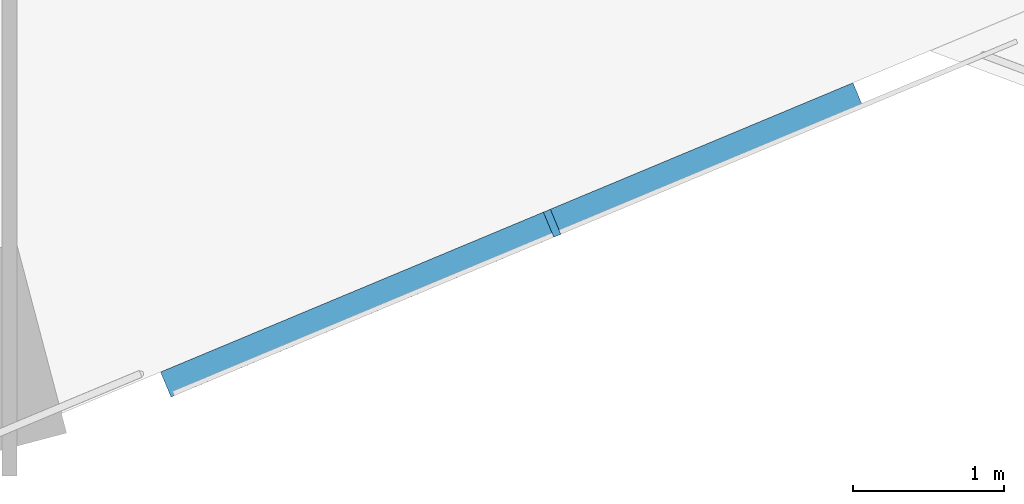
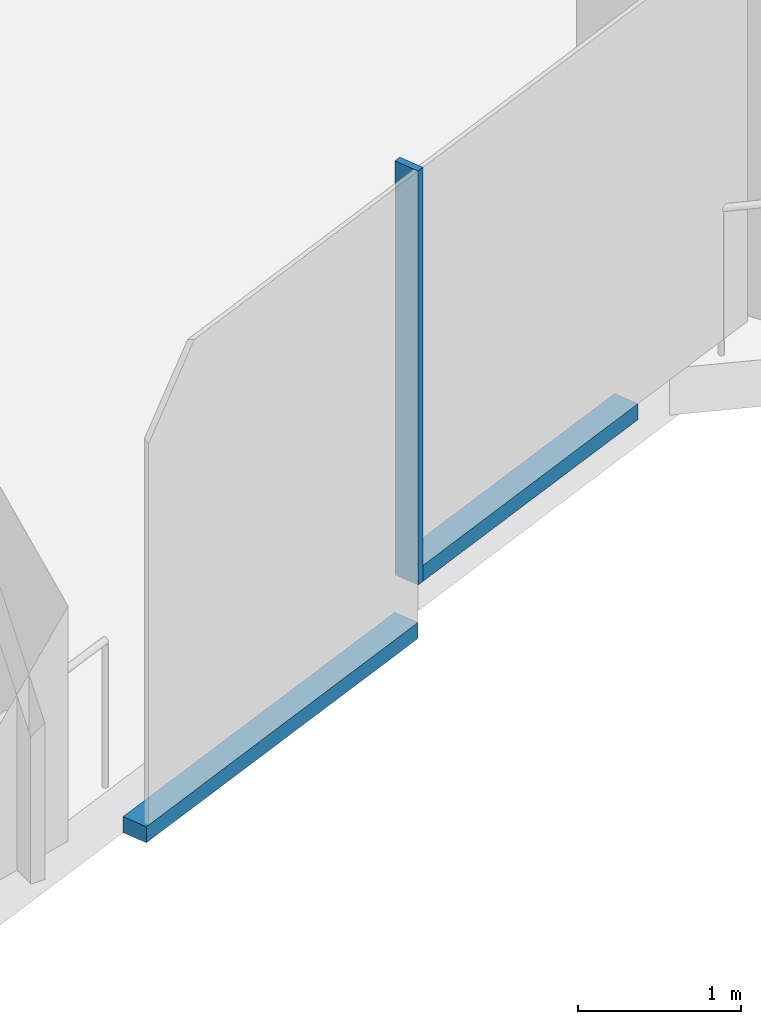
# One storey, part 5 of 34: 3 members, 1 element without a shape of its own.
"""IFC4 building model written with IfcOpenShell, lengths in metres."""

from ifc_helpers import new_model, si_unit, direction, frame, origin, origin_2d, place, context, subcontext, project, spatial, rectangle, extrude, material, material_profile, profile_set, type_object, element, aggregate, save


model = new_model("IFC4")

# Units and contexts
model_context = context("Model", 3, precision=1e-05, world=origin(), true_north=direction((0.0, 1.0)))
body_context = subcontext(model_context, "Body", "Model", "MODEL_VIEW")
ifc_project = project(units=[si_unit("LENGTHUNIT", "METRE"), si_unit("AREAUNIT", "SQUARE_METRE"), si_unit("VOLUMEUNIT", "CUBIC_METRE"), si_unit("PLANEANGLEUNIT", "RADIAN"), si_unit("MASSUNIT", "GRAM", prefix="KILO")], contexts=[model_context])

# Site, building, storey
site_placement = place(None, origin())
site = spatial("IfcSite", under=ifc_project, at=site_placement, CompositionType="ELEMENT")
building_placement = place(site_placement, origin())
building = spatial("IfcBuilding", under=site, at=building_placement, Name="Orlundy Tower", CompositionType="ELEMENT")
storey_placement = place(building_placement, frame((0.0, 0.0, 102.199951171875)))
storey = spatial("IfcBuildingStorey", under=building, at=storey_placement, Name="L25", CompositionType="ELEMENT", Elevation=102.199951171875)

# Curtain wall, members
ifc_material_1 = material(Name="Aluminium bronze anodised", Category="aluminium")
curtain_wall_type = type_object("IfcCurtainWallType", Name="CW1 wall", PredefinedType="NOTDEFINED", material=ifc_material_1)
curtain_wall_placement = place(storey_placement, origin())
curtain_wall = element("IfcCurtainWall", 1, at=curtain_wall_placement, inside=storey, type_object=curtain_wall_type, Name="CW1 run 01", PredefinedType="NOTDEFINED")
ifc_material_2 = material(Name="Aluminium bronze anodised", Category="aluminium")
ifc_material_profile_1 = material_profile(ifc_material_2, rectangle(XDim=0.179931640625, YDim=0.050048828125, at=origin_2d()), Name="CW1 mullion 50x180")
ifc_profile_set_1 = profile_set([ifc_material_profile_1], Name="Aluminium bronze anodised")
member_type_1 = type_object("IfcMemberType", Name="CW1 mullion 50x180", PredefinedType="MULLION", material=ifc_profile_set_1)
member_1_placement = place(storey_placement, frame((11.595703125, -27.76611328125, 0.0), z_axis=(0.0, 0.0, 1.0), x_axis=(0.385377262048, -0.922759105019, 0.0)))
member_1 = element("IfcMember", 2, at=member_1_placement, type_object=member_type_1, Name="CW1 mullion 8", PredefinedType="MULLION", context=body_context, shape_type="SweptSolid", body=[
    extrude(rectangle(XDim=0.179931640625, YDim=0.050048828125, at=origin_2d()), origin(), (0.0, 0.0, 1.0), 3.10009765625),
])
ifc_material_3 = material(Name="Aluminium bronze anodised", Category="aluminium")
ifc_material_profile_2 = material_profile(ifc_material_3, rectangle(XDim=0.179931640625, YDim=0.1201171875, at=origin_2d()), Name="CW1 transom 180x120")
ifc_profile_set_2 = profile_set([ifc_material_profile_2], Name="Aluminium bronze anodised")
member_type_2 = type_object("IfcMemberType", Name="CW1 transom 180x120", PredefinedType="USERDEFINED", material=ifc_profile_set_2)
member_2_placement = place(storey_placement, frame((13.624267578125, -26.918701171875, 0.06005859375), z_axis=(-0.922754244533, -0.385388899938, 0.0), x_axis=(0.385388899938, -0.922754244533, 0.0)))
member_2 = element("IfcMember", 3, at=member_2_placement, type_object=member_type_2, Name="CW1 transom", ObjectType="TRANSOM", PredefinedType="USERDEFINED", context=body_context, shape_type="SweptSolid", body=[
    extrude(rectangle(XDim=0.179931640625, YDim=0.1201171875, at=origin_2d()), origin(), (0.0, 0.0, 1.0), 2.173583984375),
])
member_3_placement = place(storey_placement, frame((11.572509765625, -27.775634765625, -0.33984375), z_axis=(-0.922748174461, -0.385403433468, 0.0), x_axis=(0.385403433468, -0.922748174461, 0.0)))
member_3 = element("IfcMember", 4, at=member_3_placement, type_object=member_type_2, Name="CW1 transom", ObjectType="TRANSOM", PredefinedType="USERDEFINED", context=body_context, shape_type="SweptSolid", body=[
    extrude(rectangle(XDim=0.179931640625, YDim=0.1201171875, at=origin_2d()), origin(), (0.0, 0.0, 1.0), 2.749267578125),
])
aggregate(curtain_wall, [member_1, member_2, member_3])

save(model, "model.ifc")
